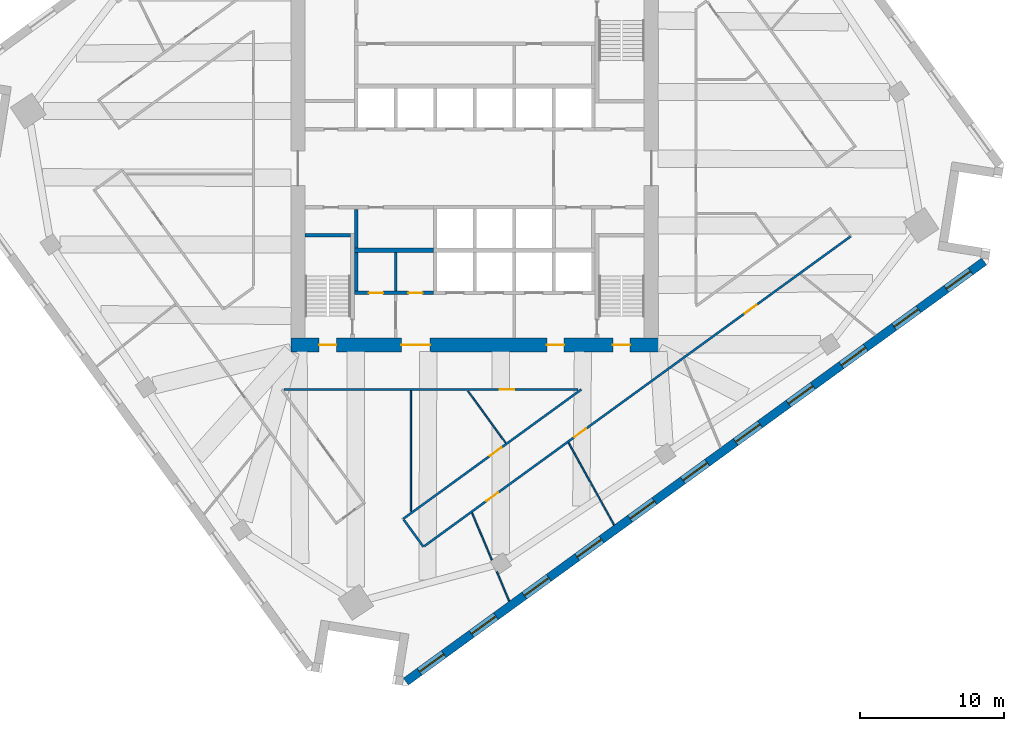
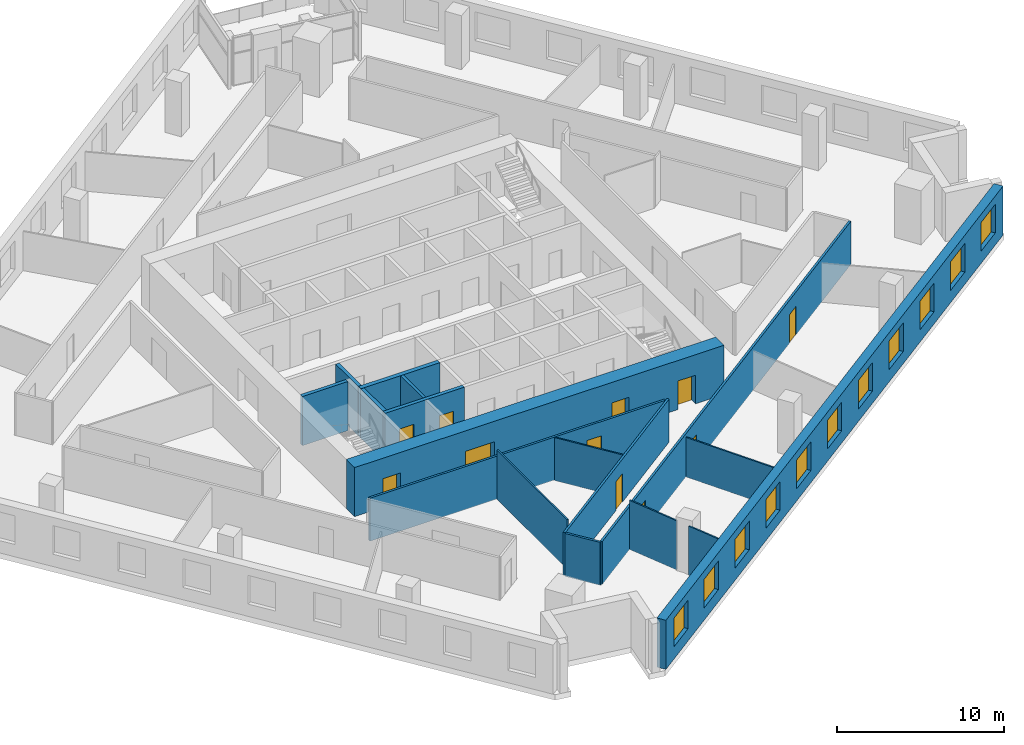
# One storey, part 5 of 11: 17 walls, 11 doors, 11 windows, 22 openings.
"""IFC4 building model written with IfcOpenShell, lengths in metres."""

from ifc_helpers import new_model, si_unit, direction, frame, frame_2d, origin, place, context, subcontext, project, spatial, rectangle, extrude, material, layer, layer_set, type_object, element, fill, save


model = new_model("IFC4")

# Units and contexts
model_context = context("Model", 3, precision=1e-05, world=origin(), true_north=direction((0.0, 1.0)))
body_context = subcontext(model_context, "Body", "Model", "MODEL_VIEW")
ifc_project = project(units=[si_unit("LENGTHUNIT", "METRE"), si_unit("AREAUNIT", "SQUARE_METRE"), si_unit("VOLUMEUNIT", "CUBIC_METRE"), si_unit("PLANEANGLEUNIT", "RADIAN"), si_unit("MASSUNIT", "GRAM", prefix="KILO")], contexts=[model_context])

# Site, building, storey
site_placement = place(None, origin())
site = spatial("IfcSite", under=ifc_project, at=site_placement, CompositionType="ELEMENT")
building_placement = place(site_placement, origin())
building = spatial("IfcBuilding", under=site, at=building_placement, Name="Dilmun Exchange Tower", CompositionType="ELEMENT")
storey_placement = place(building_placement, frame((0.0, 0.0, 167.699951171875)))
storey = spatial("IfcBuildingStorey", under=building, at=storey_placement, Name="L39", CompositionType="ELEMENT", Elevation=167.699951171875)

# Wall
ifc_material_1 = material(Name="Concrete C40/50", Category="concrete")
ifc_layer_1 = layer(ifc_material_1, 0.199951171875)
ifc_layer_set_1 = layer_set([ifc_layer_1], Name="Concrete C40/50")
wall_type_1 = type_object("IfcWallType", Name="Core partition wall 200", PredefinedType="PARTITIONING", material=ifc_layer_set_1)
wall_1_placement = place(storey_placement, frame((-5.5, -8.544921875, 0.0), z_axis=(0.0, 0.0, 1.0), x_axis=(0.0, 1.0, 0.0)))
element("IfcWall", 1, at=wall_1_placement, inside=storey, type_object=wall_type_1, Name="L39 core partition wall 05", PredefinedType="PARTITIONING", context=body_context, shape_type="SweptSolid", body=[
    extrude(rectangle(XDim=2.68994140625, YDim=0.199951171875, at=frame_2d((1.344970703125, 0.0))), origin(), (0.0, 0.0, 1.0), 3.60009765625),
])

# Wall, openings, doors
ifc_layer_2 = layer(ifc_material_1, 0.25)
ifc_layer_set_2 = layer_set([ifc_layer_2], Name="Concrete C40/50")
wall_type_2 = type_object("IfcWallType", Name="Core partition wall 250", PredefinedType="PARTITIONING", material=ifc_layer_set_2)
wall_2_placement = place(storey_placement, frame((-8.3701171875, -8.675048828125, 0.0), z_axis=(0.0, 0.0, 1.0), x_axis=(1.0, 0.0, 0.0)))
wall_2 = element("IfcWall", 2, at=wall_2_placement, inside=storey, type_object=wall_type_2, Name="L39 core partition wall 03", PredefinedType="PARTITIONING", context=body_context, shape_type="SweptSolid", body=[
    extrude(rectangle(XDim=5.490234375, YDim=0.25, at=frame_2d((2.7451171875, 0.0))), origin(), (0.0, 0.0, 1.0), 3.60009765625),
])
opening_1_placement = place(wall_2_placement, frame((0.9951171875, 0.0, 0.0)))
opening_1 = element("IfcOpeningElement", 3, at=opening_1_placement, cuts=wall_2, Name="Opening CD4", PredefinedType="OPENING", context=body_context, shape_type="SweptSolid", body=[
    extrude(rectangle(XDim=1.0, YDim=2.10009765625, at=frame_2d((0.5, 1.050048828125))), frame((0.0, 0.135009765625, 0.0), z_axis=(0.0, -1.0, 0.0), x_axis=(1.0, 0.0, 0.0)), (0.0, 0.0, 1.0), 0.27001953125),
])
opening_2_placement = place(wall_2_placement, frame((3.7451171875, 0.0, 0.0)))
opening_2 = element("IfcOpeningElement", 4, at=opening_2_placement, cuts=wall_2, Name="Opening CD4", PredefinedType="OPENING", context=body_context, shape_type="SweptSolid", body=[
    extrude(rectangle(XDim=1.0, YDim=2.10009765625, at=frame_2d((0.5, 1.050048828125))), frame((0.0, 0.135009765625, 0.0), z_axis=(0.0, -1.0, 0.0), x_axis=(1.0, 0.0, 0.0)), (0.0, 0.0, 1.0), 0.27001953125),
])
ifc_material_2 = material(Name="Fire-rated steel door set", Category="steel")
door_type_1 = type_object("IfcDoorType", Name="Core room door 1000x2100", OperationType="SINGLE_SWING_LEFT", PredefinedType="DOOR", material=ifc_material_2)
door_1_placement = place(opening_1_placement, origin())
door_1 = element("IfcDoor", 5, at=door_1_placement, inside=storey, type_object=door_type_1, Name="L39 door Male WC", OperationType="SINGLE_SWING_RIGHT", OverallHeight=2.10009765625, OverallWidth=1.0, PredefinedType="DOOR", context=body_context, shape_type="SweptSolid", body=[
    extrude(rectangle(XDim=1.0, YDim=2.10009765625, at=frame_2d((0.5, 1.050048828125))), frame((0.0, 0.02490234375, 0.0), z_axis=(0.0, -1.0, 0.0), x_axis=(1.0, 0.0, 0.0)), (0.0, 0.0, 1.0), 0.050048828125),
])
fill(opening_1, door_1)
door_2_placement = place(opening_2_placement, origin())
door_2 = element("IfcDoor", 6, at=door_2_placement, inside=storey, type_object=door_type_1, Name="L39 door Female WC", OperationType="SINGLE_SWING_RIGHT", OverallHeight=2.10009765625, OverallWidth=1.0, PredefinedType="DOOR", context=body_context, shape_type="SweptSolid", body=[
    extrude(rectangle(XDim=1.0, YDim=2.10009765625, at=frame_2d((0.5, 1.050048828125))), frame((0.0, 0.02490234375, 0.0), z_axis=(0.0, -1.0, 0.0), x_axis=(1.0, 0.0, 0.0)), (0.0, 0.0, 1.0), 0.050048828125),
])
fill(opening_2, door_2)

# Walls
for number, where, z_axis, x_axis, name in (
    (7, (-8.25, -8.544921875, 0.0), (0.0, 0.0, 1.0), (0.0, 1.0, 0.0), "L39 core partition wall 04"),
    (8, (-8.25, -5.544921875, 0.0), (0.0, 0.0, 1.0), (0.0, 1.0, 0.0), "L39 core partition wall 07"),
):
    element("IfcWall", number, at=place(storey_placement, frame(where, z_axis=z_axis, x_axis=x_axis)), inside=storey, type_object=wall_type_2, Name=name, PredefinedType="PARTITIONING", context=body_context, shape_type="SweptSolid", body=[
        extrude(rectangle(XDim=2.68994140625, YDim=0.25, at=frame_2d((1.344970703125, 0.0))), origin(), (0.0, 0.0, 1.0), 3.60009765625),
    ])
ifc_layer_3 = layer(ifc_material_1, 0.300048828125)
ifc_layer_set_3 = layer_set([ifc_layer_3], Name="Concrete C40/50")
wall_type_3 = type_object("IfcWallType", Name="Core partition wall 300", PredefinedType="PARTITIONING", material=ifc_layer_set_3)
wall_3_placement = place(storey_placement, frame((-8.35009765625, -5.699951171875, 0.0), z_axis=(0.0, 0.0, 1.0), x_axis=(1.0, 0.0, 0.0)))
element("IfcWall", 9, at=wall_3_placement, inside=storey, type_object=wall_type_3, Name="L39 core partition wall 06", PredefinedType="PARTITIONING", context=body_context, shape_type="SweptSolid", body=[
    extrude(rectangle(XDim=5.47021484375, YDim=0.300048828125, at=frame_2d((2.735107421875, 0.0))), origin(), (0.0, 0.0, 1.0), 3.60009765625),
])

# Wall, openings, doors
ifc_material_3 = material(Name="Concrete C70/85", Category="concrete")
ifc_layer_4 = layer(ifc_material_3, 1.0)
ifc_layer_set_4 = layer_set([ifc_layer_4], Name="Concrete C70/85")
wall_type_4 = type_object("IfcWallType", Name="Core shear wall 1000 Concrete C70/85", PredefinedType="SHEAR", material=ifc_layer_set_4)
wall_4_placement = place(storey_placement, frame((-12.800048828125, -12.300048828125, 0.0), z_axis=(0.0, 0.0, 1.0), x_axis=(1.0, 0.0, 0.0)))
wall_4 = element("IfcWall", 10, at=wall_4_placement, inside=storey, type_object=wall_type_4, Name="L39 core shear wall S", PredefinedType="SHEAR", context=body_context, shape_type="SweptSolid", body=[
    extrude(rectangle(XDim=25.60009765625, YDim=1.0, at=frame_2d((12.800048828125, 0.0))), origin(), (0.0, 0.0, 1.0), 3.60009765625),
])
opening_3_placement = place(wall_4_placement, frame((7.699951171875, 0.0, 0.0)))
opening_3 = element("IfcOpeningElement", 11, at=opening_3_placement, cuts=wall_4, Name="Opening CD2", PredefinedType="OPENING", context=body_context, shape_type="SweptSolid", body=[
    extrude(rectangle(XDim=2.0, YDim=2.10009765625, at=frame_2d((1.0, 1.050048828125))), frame((0.0, 0.510009765625, 0.0), z_axis=(0.0, -1.0, 0.0), x_axis=(1.0, 0.0, 0.0)), (0.0, 0.0, 1.0), 1.02001953125),
])
opening_4_placement = place(wall_4_placement, frame((17.824951171875, 0.0, 0.0)))
opening_4 = element("IfcOpeningElement", 12, at=opening_4_placement, cuts=wall_4, Name="Opening CD3", PredefinedType="OPENING", context=body_context, shape_type="SweptSolid", body=[
    extrude(rectangle(XDim=1.199951171875, YDim=2.10009765625, at=frame_2d((0.60009765625, 1.050048828125))), frame((0.0, 0.510009765625, 0.0), z_axis=(0.0, -1.0, 0.0), x_axis=(1.0, 0.0, 0.0)), (0.0, 0.0, 1.0), 1.02001953125),
])
opening_5_placement = place(wall_4_placement, frame((1.97509765625, 0.0, 0.0)))
opening_5 = element("IfcOpeningElement", 13, at=opening_5_placement, cuts=wall_4, Name="Opening CD3", PredefinedType="OPENING", context=body_context, shape_type="SweptSolid", body=[
    extrude(rectangle(XDim=1.199951171875, YDim=2.10009765625, at=frame_2d((0.60009765625, 1.050048828125))), frame((0.0, 0.510009765625, 0.0), z_axis=(0.0, -1.0, 0.0), x_axis=(1.0, 0.0, 0.0)), (0.0, 0.0, 1.0), 1.02001953125),
])
opening_6_placement = place(wall_4_placement, frame((22.425048828125, 0.0, 0.0)))
opening_6 = element("IfcOpeningElement", 14, at=opening_6_placement, cuts=wall_4, Name="Opening CD3", PredefinedType="OPENING", context=body_context, shape_type="SweptSolid", body=[
    extrude(rectangle(XDim=1.199951171875, YDim=2.10009765625, at=frame_2d((0.60009765625, 1.050048828125))), frame((0.0, 0.510009765625, 0.0), z_axis=(0.0, -1.0, 0.0), x_axis=(1.0, 0.0, 0.0)), (0.0, 0.0, 1.0), 1.02001953125),
])
door_type_2 = type_object("IfcDoorType", Name="Core service door 2000x2100", OperationType="DOUBLE_DOOR_DOUBLE_SWING", PredefinedType="DOOR", material=ifc_material_2)
door_3_placement = place(opening_3_placement, origin())
door_3 = element("IfcDoor", 15, at=door_3_placement, inside=storey, type_object=door_type_2, Name="L39 door South service lobby", OperationType="SINGLE_SWING_LEFT", OverallHeight=2.10009765625, OverallWidth=2.0, PredefinedType="DOOR", context=body_context, shape_type="SweptSolid", body=[
    extrude(rectangle(XDim=2.0, YDim=2.10009765625, at=frame_2d((1.0, 1.050048828125))), frame((0.0, 0.02490234375, 0.0), z_axis=(0.0, -1.0, 0.0), x_axis=(1.0, 0.0, 0.0)), (0.0, 0.0, 1.0), 0.050048828125),
])
fill(opening_3, door_3)
door_type_3 = type_object("IfcDoorType", Name="Stair exit door 1200x2100", OperationType="SINGLE_SWING_LEFT", PredefinedType="DOOR", material=ifc_material_2)
door_4_placement = place(opening_4_placement, origin())
door_4 = element("IfcDoor", 16, at=door_4_placement, inside=storey, type_object=door_type_3, Name="L39 door Fire-fighting lobby", OperationType="SINGLE_SWING_LEFT", OverallHeight=2.10009765625, OverallWidth=1.199951171875, PredefinedType="DOOR", context=body_context, shape_type="SweptSolid", body=[
    extrude(rectangle(XDim=1.199951171875, YDim=2.10009765625, at=frame_2d((0.60009765625, 1.050048828125))), frame((0.0, 0.02490234375, 0.0), z_axis=(0.0, -1.0, 0.0), x_axis=(1.0, 0.0, 0.0)), (0.0, 0.0, 1.0), 0.050048828125),
])
fill(opening_4, door_4)
door_5_placement = place(opening_5_placement, origin())
door_5 = element("IfcDoor", 17, at=door_5_placement, inside=storey, type_object=door_type_3, Name="L39 door Stair ST2", OperationType="SINGLE_SWING_LEFT", OverallHeight=2.10009765625, OverallWidth=1.199951171875, PredefinedType="DOOR", context=body_context, shape_type="SweptSolid", body=[
    extrude(rectangle(XDim=1.199951171875, YDim=2.10009765625, at=frame_2d((0.60009765625, 1.050048828125))), frame((0.0, 0.02490234375, 0.0), z_axis=(0.0, -1.0, 0.0), x_axis=(1.0, 0.0, 0.0)), (0.0, 0.0, 1.0), 0.050048828125),
])
fill(opening_5, door_5)
door_6_placement = place(opening_6_placement, origin())
door_6 = element("IfcDoor", 18, at=door_6_placement, inside=storey, type_object=door_type_3, Name="L39 door Stair ST3", OperationType="SINGLE_SWING_LEFT", OverallHeight=2.10009765625, OverallWidth=1.199951171875, PredefinedType="DOOR", context=body_context, shape_type="SweptSolid", body=[
    extrude(rectangle(XDim=1.199951171875, YDim=2.10009765625, at=frame_2d((0.60009765625, 1.050048828125))), frame((0.0, 0.02490234375, 0.0), z_axis=(0.0, -1.0, 0.0), x_axis=(1.0, 0.0, 0.0)), (0.0, 0.0, 1.0), 0.050048828125),
])
fill(opening_6, door_6)

# Wall, opening, door
ifc_material_4 = material(Name="Corridor wall 150")
ifc_layer_5 = layer(ifc_material_4, 0.14990234375)
ifc_layer_set_5 = layer_set([ifc_layer_5], Name="Corridor wall 150")
wall_type_5 = type_object("IfcWallType", Name="Corridor wall 150", PredefinedType="PARTITIONING", material=ifc_layer_set_5)
wall_5_placement = place(storey_placement, frame((-13.288818359375, -15.39990234375, 0.0), z_axis=(0.0, 0.0, 1.0), x_axis=(1.0, 0.0, 0.0)))
wall_5 = element("IfcWall", 19, at=wall_5_placement, inside=storey, type_object=wall_type_5, Name="Corridor wall", PredefinedType="PARTITIONING", context=body_context, shape_type="SweptSolid", body=[
    extrude(rectangle(XDim=20.47998046875, YDim=0.14990234375, at=frame_2d((10.239990234375, 0.0))), origin(), (0.0, 0.0, 1.0), 3.150146484375),
])
opening_7_placement = place(wall_5_placement, frame((15.041259765625, 0.0, 0.0)))
opening_7 = element("IfcOpeningElement", 20, at=opening_7_placement, cuts=wall_5, Name="Opening TF38-D11", PredefinedType="OPENING", context=body_context, shape_type="SweptSolid", body=[
    extrude(rectangle(XDim=1.0, YDim=2.10009765625, at=frame_2d((0.5, 1.050048828125))), frame((0.0, 0.0849609375, 0.0), z_axis=(0.0, -1.0, 0.0), x_axis=(1.0, 0.0, 0.0)), (0.0, 0.0, 1.0), 0.169921875),
])
ifc_material_5 = material(Name="Fire door 1000 x 2100")
door_type_4 = type_object("IfcDoorType", Name="Fire door 1000 x 2100", OperationType="NOTDEFINED", PredefinedType="DOOR", material=ifc_material_5)
door_7_placement = place(opening_7_placement, frame((1.0, 0.0, 0.0), z_axis=(0.0, 0.0, 1.0), x_axis=(-1.0, 0.0, 0.0)))
door_7 = element("IfcDoor", 21, at=door_7_placement, inside=storey, type_object=door_type_4, Name="Door TF38-D11", OperationType="SINGLE_SWING_LEFT", OverallHeight=2.10009765625, OverallWidth=1.0, PredefinedType="DOOR", context=body_context, shape_type="SweptSolid", body=[
    extrude(rectangle(XDim=1.0, YDim=2.10009765625, at=frame_2d((0.5, 1.050048828125))), frame((0.0, 0.02490234375, 0.0), z_axis=(0.0, -1.0, 0.0), x_axis=(1.0, 0.0, 0.0)), (0.0, 0.0, 1.0), 0.050048828125),
])
fill(opening_7, door_7)

wall_6_placement = place(storey_placement, frame((-4.97998046875, -24.410888671875, 0.0), z_axis=(0.0, 0.0, 1.0), x_axis=(0.809006648498, 0.587799491907, 0.0)))
wall_6 = element("IfcWall", 22, at=wall_6_placement, inside=storey, type_object=wall_type_5, Name="Corridor wall", PredefinedType="PARTITIONING", context=body_context, shape_type="SweptSolid", body=[
    extrude(rectangle(XDim=15.330078125, YDim=0.14990234375, at=frame_2d((7.6650390625, 0.0))), origin(), (0.0, 0.0, 1.0), 3.150146484375),
])
opening_8_placement = place(wall_6_placement, frame((7.46435546875, 0.0, 0.0)))
opening_8 = element("IfcOpeningElement", 23, at=opening_8_placement, cuts=wall_6, Name="Opening TF38-D09", PredefinedType="OPENING", context=body_context, shape_type="SweptSolid", body=[
    extrude(rectangle(XDim=1.0, YDim=2.10009765625, at=frame_2d((0.5, 1.050048828125))), frame((0.0, 0.0849609375, 0.0), z_axis=(0.0, -1.0, 0.0), x_axis=(1.0, 0.0, 0.0)), (0.0, 0.0, 1.0), 0.169921875),
])
door_8_placement = place(opening_8_placement, origin())
door_8 = element("IfcDoor", 24, at=door_8_placement, inside=storey, type_object=door_type_4, Name="Door TF38-D09", OperationType="SINGLE_SWING_RIGHT", OverallHeight=2.10009765625, OverallWidth=1.0, PredefinedType="DOOR", context=body_context, shape_type="SweptSolid", body=[
    extrude(rectangle(XDim=1.0, YDim=2.10009765625, at=frame_2d((0.5, 1.050048828125))), frame((0.0, 0.02490234375, 0.0), z_axis=(0.0, -1.0, 0.0), x_axis=(1.0, 0.0, 0.0)), (0.0, 0.0, 1.0), 0.050048828125),
])
fill(opening_8, door_8)

# Wall
wall_7_placement = place(storey_placement, frame((-4.935791015625, -24.4716796875, 0.0), z_axis=(0.0, 0.0, 1.0), x_axis=(0.5874596315, -0.809253471638, 0.0)))
element("IfcWall", 25, at=wall_7_placement, inside=storey, type_object=wall_type_5, Name="Corridor wall", PredefinedType="PARTITIONING", context=body_context, shape_type="SweptSolid", body=[
    extrude(rectangle(XDim=2.32470703125, YDim=0.14990234375, at=frame_2d((1.162353515625, 0.0))), origin(), (0.0, 0.0, 1.0), 3.150146484375),
])

# Wall, openings, doors
wall_8_placement = place(storey_placement, frame((-3.50927734375, -26.308837890625, 0.0), z_axis=(0.0, 0.0, 1.0), x_axis=(0.809024097608, 0.587775475407, 0.0)))
wall_8 = element("IfcWall", 26, at=wall_8_placement, inside=storey, type_object=wall_type_5, Name="Corridor wall", PredefinedType="PARTITIONING", context=body_context, shape_type="SweptSolid", body=[
    extrude(rectangle(XDim=36.680419921875, YDim=0.14990234375, at=frame_2d((18.34033203125, 0.0))), origin(), (0.0, 0.0, 1.0), 3.150146484375),
])
opening_9_placement = place(wall_8_placement, frame((5.361328125, 0.0, 0.0)))
opening_9 = element("IfcOpeningElement", 27, at=opening_9_placement, cuts=wall_8, Name="Opening TF38-D12", PredefinedType="OPENING", context=body_context, shape_type="SweptSolid", body=[
    extrude(rectangle(XDim=1.0, YDim=2.10009765625, at=frame_2d((0.5, 1.050048828125))), frame((0.0, 0.0849609375, 0.0), z_axis=(0.0, -1.0, 0.0), x_axis=(1.0, 0.0, 0.0)), (0.0, 0.0, 1.0), 0.169921875),
])
opening_10_placement = place(wall_8_placement, frame((12.9130859375, 0.0, 0.0)))
opening_10 = element("IfcOpeningElement", 28, at=opening_10_placement, cuts=wall_8, Name="Opening TF38-D15", PredefinedType="OPENING", context=body_context, shape_type="SweptSolid", body=[
    extrude(rectangle(XDim=1.0, YDim=2.10009765625, at=frame_2d((0.5, 1.050048828125))), frame((0.0, 0.0849609375, 0.0), z_axis=(0.0, -1.0, 0.0), x_axis=(1.0, 0.0, 0.0)), (0.0, 0.0, 1.0), 0.169921875),
])
opening_11_placement = place(wall_8_placement, frame((27.57568359375, 0.0, 0.0)))
opening_11 = element("IfcOpeningElement", 29, at=opening_11_placement, cuts=wall_8, Name="Opening TF38-D18", PredefinedType="OPENING", context=body_context, shape_type="SweptSolid", body=[
    extrude(rectangle(XDim=1.0, YDim=2.10009765625, at=frame_2d((0.5, 1.050048828125))), frame((0.0, 0.0849609375, 0.0), z_axis=(0.0, -1.0, 0.0), x_axis=(1.0, 0.0, 0.0)), (0.0, 0.0, 1.0), 0.169921875),
])
door_9_placement = place(opening_9_placement, frame((1.0, 0.0, 0.0), z_axis=(0.0, 0.0, 1.0), x_axis=(-1.0, 0.0, 0.0)))
door_9 = element("IfcDoor", 30, at=door_9_placement, inside=storey, type_object=door_type_4, Name="Door TF38-D12", OperationType="SINGLE_SWING_LEFT", OverallHeight=2.10009765625, OverallWidth=1.0, PredefinedType="DOOR", context=body_context, shape_type="SweptSolid", body=[
    extrude(rectangle(XDim=1.0, YDim=2.10009765625, at=frame_2d((0.5, 1.050048828125))), frame((0.0, 0.02490234375, 0.0), z_axis=(0.0, -1.0, 0.0), x_axis=(1.0, 0.0, 0.0)), (0.0, 0.0, 1.0), 0.050048828125),
])
fill(opening_9, door_9)
door_10_placement = place(opening_10_placement, frame((1.0, 0.0, 0.0), z_axis=(0.0, 0.0, 1.0), x_axis=(-1.0, 0.0, 0.0)))
door_10 = element("IfcDoor", 31, at=door_10_placement, inside=storey, type_object=door_type_4, Name="Door TF38-D15", OperationType="SINGLE_SWING_RIGHT", OverallHeight=2.10009765625, OverallWidth=1.0, PredefinedType="DOOR", context=body_context, shape_type="SweptSolid", body=[
    extrude(rectangle(XDim=1.0, YDim=2.10009765625, at=frame_2d((0.5, 1.050048828125))), frame((0.0, 0.02490234375, 0.0), z_axis=(0.0, -1.0, 0.0), x_axis=(1.0, 0.0, 0.0)), (0.0, 0.0, 1.0), 0.050048828125),
])
fill(opening_10, door_10)
door_11_placement = place(opening_11_placement, frame((1.0, 0.0, 0.0), z_axis=(0.0, 0.0, 1.0), x_axis=(-1.0, 0.0, 0.0)))
door_11 = element("IfcDoor", 32, at=door_11_placement, inside=storey, type_object=door_type_4, Name="Door TF38-D18", OperationType="SINGLE_SWING_RIGHT", OverallHeight=2.10009765625, OverallWidth=1.0, PredefinedType="DOOR", context=body_context, shape_type="SweptSolid", body=[
    extrude(rectangle(XDim=1.0, YDim=2.10009765625, at=frame_2d((0.5, 1.050048828125))), frame((0.0, 0.02490234375, 0.0), z_axis=(0.0, -1.0, 0.0), x_axis=(1.0, 0.0, 0.0)), (0.0, 0.0, 1.0), 0.050048828125),
])
fill(opening_11, door_11)

# Walls
ifc_material_6 = material(Name="Partition 100")
ifc_layer_6 = layer(ifc_material_6, 0.10009765625)
ifc_layer_set_6 = layer_set([ifc_layer_6], Name="Partition 100")
wall_type_6 = type_object("IfcWallType", Name="Partition 100", PredefinedType="PARTITIONING", material=ifc_layer_set_6)
wall_9_placement = place(storey_placement, frame((-4.443115234375, -23.89208984375, 0.0), z_axis=(0.0, 0.0, 1.0), x_axis=(0.0, 1.0, 0.0)))
element("IfcWall", 33, at=wall_9_placement, inside=storey, type_object=wall_type_6, Name="Partition", PredefinedType="PARTITIONING", context=body_context, shape_type="SweptSolid", body=[
    extrude(rectangle(XDim=8.4169921875, YDim=0.10009765625, at=frame_2d((4.20849609375, 0.0))), origin(), (0.0, 0.0, 1.0), 3.60009765625),
])
wall_10_placement = place(storey_placement, frame((-0.47216796875, -15.50439453125, 0.0), z_axis=(0.0, 0.0, 1.0), x_axis=(0.587831486694, -0.808983401097, 0.0)))
element("IfcWall", 34, at=wall_10_placement, inside=storey, type_object=wall_type_6, Name="Partition", PredefinedType="PARTITIONING", context=body_context, shape_type="SweptSolid", body=[
    extrude(rectangle(XDim=4.48095703125, YDim=0.10009765625, at=frame_2d((2.240478515625, 0.0))), origin(), (0.0, 0.0, 1.0), 3.150146484375),
])
wall_11_placement = place(storey_placement, frame((-0.181640625, -23.997802734375, 0.0), z_axis=(0.0, 0.0, 1.0), x_axis=(0.388072383156, -0.921628897893, 0.0)))
element("IfcWall", 35, at=wall_11_placement, inside=storey, type_object=wall_type_6, Name="Partition", PredefinedType="PARTITIONING", context=body_context, shape_type="SweptSolid", body=[
    extrude(rectangle(XDim=3.547607421875, YDim=0.10009765625, at=frame_2d((1.77392578125, 0.0))), origin(), (0.0, 0.0, 1.0), 3.60009765625),
])
wall_12_placement = place(storey_placement, frame((1.541015625, -28.089111328125, 0.0), z_axis=(0.0, 0.0, 1.0), x_axis=(0.388007971135, -0.92165601736, 0.0)))
element("IfcWall", 36, at=wall_12_placement, inside=storey, type_object=wall_type_6, Name="Partition", PredefinedType="PARTITIONING", context=body_context, shape_type="SweptSolid", body=[
    extrude(rectangle(XDim=2.22607421875, YDim=0.10009765625, at=frame_2d((1.113037109375, 0.0))), origin(), (0.0, 0.0, 1.0), 3.60009765625),
])
wall_13_placement = place(storey_placement, frame((6.53662109375, -19.110595703125, 0.0), z_axis=(0.0, 0.0, 1.0), x_axis=(0.484305684631, -0.874898853488, 0.0)))
element("IfcWall", 37, at=wall_13_placement, inside=storey, type_object=wall_type_6, Name="Partition", PredefinedType="PARTITIONING", context=body_context, shape_type="SweptSolid", body=[
    extrude(rectangle(XDim=6.544189453125, YDim=0.10009765625, at=frame_2d((3.27197265625, 0.0))), origin(), (0.0, 0.0, 1.0), 2.900146484375),
])

# Wall, openings, windows
ifc_material_7 = material(Name="Precast concrete C50/60", Category="concrete")
ifc_layer_7 = layer(ifc_material_7, 0.60009765625)
ifc_layer_set_7 = layer_set([ifc_layer_7], Name="Precast concrete C50/60")
wall_type_7 = type_object("IfcWallType", Name="Precast stone-clad wall 600", PredefinedType="STANDARD", material=ifc_layer_set_7)
wall_14_placement = place(storey_placement, frame((-4.78369140625, -35.73681640625, 0.0), z_axis=(0.0, 0.0, 1.0), x_axis=(0.809019283075, 0.587782102154, 0.0)))
wall_14 = element("IfcWall", 38, at=wall_14_placement, inside=storey, type_object=wall_type_7, Name="Facade wall L39-15", PredefinedType="STANDARD", context=body_context, shape_type="SweptSolid", body=[
    extrude(rectangle(XDim=49.751220703125, YDim=0.60009765625, at=frame_2d((24.87548828125, 0.0))), origin(), (0.0, 0.0, 1.0), 3.60009765625),
])
opening_12_placement = place(wall_14_placement, frame((1.16064453125, 0.0, 0.89990234375)))
opening_12 = element("IfcOpeningElement", 39, at=opening_12_placement, cuts=wall_14, Name="Opening W210-210", PredefinedType="OPENING", context=body_context, shape_type="SweptSolid", body=[
    extrude(rectangle(XDim=2.10009765625, YDim=2.10009765625, at=frame_2d((1.050048828125, 1.050048828125))), frame((0.0, 0.31005859375, 0.0), z_axis=(0.0, -1.0, 0.0), x_axis=(1.0, 0.0, 0.0)), (0.0, 0.0, 1.0), 0.6201171875),
])
opening_13_placement = place(wall_14_placement, frame((5.643798828125, 0.0, 0.89990234375)))
opening_13 = element("IfcOpeningElement", 40, at=opening_13_placement, cuts=wall_14, Name="Opening W210-210", PredefinedType="OPENING", context=body_context, shape_type="SweptSolid", body=[
    extrude(rectangle(XDim=2.10009765625, YDim=2.10009765625, at=frame_2d((1.050048828125, 1.050048828125))), frame((0.0, 0.31005859375, 0.0), z_axis=(0.0, -1.0, 0.0), x_axis=(1.0, 0.0, 0.0)), (0.0, 0.0, 1.0), 0.6201171875),
])
opening_14_placement = place(wall_14_placement, frame((10.189453125, 0.0, 0.89990234375)))
opening_14 = element("IfcOpeningElement", 41, at=opening_14_placement, cuts=wall_14, Name="Opening W210-210", PredefinedType="OPENING", context=body_context, shape_type="SweptSolid", body=[
    extrude(rectangle(XDim=2.10009765625, YDim=2.10009765625, at=frame_2d((1.050048828125, 1.050048828125))), frame((0.0, 0.31005859375, 0.0), z_axis=(0.0, -1.0, 0.0), x_axis=(1.0, 0.0, 0.0)), (0.0, 0.0, 1.0), 0.6201171875),
])
opening_15_placement = place(wall_14_placement, frame((14.73486328125, 0.0, 0.89990234375)))
opening_15 = element("IfcOpeningElement", 42, at=opening_15_placement, cuts=wall_14, Name="Opening W210-210", PredefinedType="OPENING", context=body_context, shape_type="SweptSolid", body=[
    extrude(rectangle(XDim=2.10009765625, YDim=2.10009765625, at=frame_2d((1.050048828125, 1.050048828125))), frame((0.0, 0.31005859375, 0.0), z_axis=(0.0, -1.0, 0.0), x_axis=(1.0, 0.0, 0.0)), (0.0, 0.0, 1.0), 0.6201171875),
])
opening_16_placement = place(wall_14_placement, frame((19.2802734375, 0.0, 0.89990234375)))
opening_16 = element("IfcOpeningElement", 43, at=opening_16_placement, cuts=wall_14, Name="Opening W210-210", PredefinedType="OPENING", context=body_context, shape_type="SweptSolid", body=[
    extrude(rectangle(XDim=2.10009765625, YDim=2.10009765625, at=frame_2d((1.050048828125, 1.050048828125))), frame((0.0, 0.31005859375, 0.0), z_axis=(0.0, -1.0, 0.0), x_axis=(1.0, 0.0, 0.0)), (0.0, 0.0, 1.0), 0.6201171875),
])
opening_17_placement = place(wall_14_placement, frame((23.82568359375, 0.0, 0.89990234375)))
opening_17 = element("IfcOpeningElement", 44, at=opening_17_placement, cuts=wall_14, Name="Opening W210-210", PredefinedType="OPENING", context=body_context, shape_type="SweptSolid", body=[
    extrude(rectangle(XDim=2.10009765625, YDim=2.10009765625, at=frame_2d((1.050048828125, 1.050048828125))), frame((0.0, 0.31005859375, 0.0), z_axis=(0.0, -1.0, 0.0), x_axis=(1.0, 0.0, 0.0)), (0.0, 0.0, 1.0), 0.6201171875),
])
opening_18_placement = place(wall_14_placement, frame((28.37109375, 0.0, 0.89990234375)))
opening_18 = element("IfcOpeningElement", 45, at=opening_18_placement, cuts=wall_14, Name="Opening W210-210", PredefinedType="OPENING", context=body_context, shape_type="SweptSolid", body=[
    extrude(rectangle(XDim=2.10009765625, YDim=2.10009765625, at=frame_2d((1.050048828125, 1.050048828125))), frame((0.0, 0.31005859375, 0.0), z_axis=(0.0, -1.0, 0.0), x_axis=(1.0, 0.0, 0.0)), (0.0, 0.0, 1.0), 0.6201171875),
])
opening_19_placement = place(wall_14_placement, frame((32.91650390625, 0.0, 0.89990234375)))
opening_19 = element("IfcOpeningElement", 46, at=opening_19_placement, cuts=wall_14, Name="Opening W210-210", PredefinedType="OPENING", context=body_context, shape_type="SweptSolid", body=[
    extrude(rectangle(XDim=2.10009765625, YDim=2.10009765625, at=frame_2d((1.050048828125, 1.050048828125))), frame((0.0, 0.31005859375, 0.0), z_axis=(0.0, -1.0, 0.0), x_axis=(1.0, 0.0, 0.0)), (0.0, 0.0, 1.0), 0.6201171875),
])
opening_20_placement = place(wall_14_placement, frame((37.462158203125, 0.0, 0.89990234375)))
opening_20 = element("IfcOpeningElement", 47, at=opening_20_placement, cuts=wall_14, Name="Opening W210-210", PredefinedType="OPENING", context=body_context, shape_type="SweptSolid", body=[
    extrude(rectangle(XDim=2.10009765625, YDim=2.10009765625, at=frame_2d((1.050048828125, 1.050048828125))), frame((0.0, 0.31005859375, 0.0), z_axis=(0.0, -1.0, 0.0), x_axis=(1.0, 0.0, 0.0)), (0.0, 0.0, 1.0), 0.6201171875),
])
opening_21_placement = place(wall_14_placement, frame((42.007568359375, 0.0, 0.89990234375)))
opening_21 = element("IfcOpeningElement", 48, at=opening_21_placement, cuts=wall_14, Name="Opening W210-210", PredefinedType="OPENING", context=body_context, shape_type="SweptSolid", body=[
    extrude(rectangle(XDim=2.10009765625, YDim=2.10009765625, at=frame_2d((1.050048828125, 1.050048828125))), frame((0.0, 0.31005859375, 0.0), z_axis=(0.0, -1.0, 0.0), x_axis=(1.0, 0.0, 0.0)), (0.0, 0.0, 1.0), 0.6201171875),
])
opening_22_placement = place(wall_14_placement, frame((46.490966796875, 0.0, 0.89990234375)))
opening_22 = element("IfcOpeningElement", 49, at=opening_22_placement, cuts=wall_14, Name="Opening W210-210", PredefinedType="OPENING", context=body_context, shape_type="SweptSolid", body=[
    extrude(rectangle(XDim=2.10009765625, YDim=2.10009765625, at=frame_2d((1.050048828125, 1.050048828125))), frame((0.0, 0.31005859375, 0.0), z_axis=(0.0, -1.0, 0.0), x_axis=(1.0, 0.0, 0.0)), (0.0, 0.0, 1.0), 0.6201171875),
])
ifc_material_8 = material(Name="Clear low-emissivity glass in aluminium frame", Category="aluminium")
window_type = type_object("IfcWindowType", Name="Punched window 2100 x 2100", PartitioningType="DOUBLE_PANEL_VERTICAL", PredefinedType="WINDOW", material=ifc_material_8)
window_1_placement = place(opening_12_placement, origin())
window_1 = element("IfcWindow", 50, at=window_1_placement, inside=storey, type_object=window_type, Name="Window 16.1", OverallHeight=2.10009765625, OverallWidth=2.10009765625, PartitioningType="SINGLE_PANEL", PredefinedType="WINDOW", context=body_context, shape_type="SweptSolid", body=[
    extrude(rectangle(XDim=2.10009765625, YDim=2.10009765625, at=frame_2d((1.050048828125, 1.050048828125))), frame((0.0, 0.030029296875, 0.0), z_axis=(0.0, -1.0, 0.0), x_axis=(1.0, 0.0, 0.0)), (0.0, 0.0, 1.0), 0.06005859375),
])
fill(opening_12, window_1)
window_2_placement = place(opening_13_placement, origin())
window_2 = element("IfcWindow", 51, at=window_2_placement, inside=storey, type_object=window_type, Name="Window 16.2", OverallHeight=2.10009765625, OverallWidth=2.10009765625, PartitioningType="SINGLE_PANEL", PredefinedType="WINDOW", context=body_context, shape_type="SweptSolid", body=[
    extrude(rectangle(XDim=2.10009765625, YDim=2.10009765625, at=frame_2d((1.050048828125, 1.050048828125))), frame((0.0, 0.030029296875, 0.0), z_axis=(0.0, -1.0, 0.0), x_axis=(1.0, 0.0, 0.0)), (0.0, 0.0, 1.0), 0.06005859375),
])
fill(opening_13, window_2)
window_3_placement = place(opening_14_placement, origin())
window_3 = element("IfcWindow", 52, at=window_3_placement, inside=storey, type_object=window_type, Name="Window 16.3", OverallHeight=2.10009765625, OverallWidth=2.10009765625, PartitioningType="SINGLE_PANEL", PredefinedType="WINDOW", context=body_context, shape_type="SweptSolid", body=[
    extrude(rectangle(XDim=2.10009765625, YDim=2.10009765625, at=frame_2d((1.050048828125, 1.050048828125))), frame((0.0, 0.030029296875, 0.0), z_axis=(0.0, -1.0, 0.0), x_axis=(1.0, 0.0, 0.0)), (0.0, 0.0, 1.0), 0.06005859375),
])
fill(opening_14, window_3)
window_4_placement = place(opening_15_placement, origin())
window_4 = element("IfcWindow", 53, at=window_4_placement, inside=storey, type_object=window_type, Name="Window 16.4", OverallHeight=2.10009765625, OverallWidth=2.10009765625, PartitioningType="SINGLE_PANEL", PredefinedType="WINDOW", context=body_context, shape_type="SweptSolid", body=[
    extrude(rectangle(XDim=2.10009765625, YDim=2.10009765625, at=frame_2d((1.050048828125, 1.050048828125))), frame((0.0, 0.030029296875, 0.0), z_axis=(0.0, -1.0, 0.0), x_axis=(1.0, 0.0, 0.0)), (0.0, 0.0, 1.0), 0.06005859375),
])
fill(opening_15, window_4)
window_5_placement = place(opening_16_placement, origin())
window_5 = element("IfcWindow", 54, at=window_5_placement, inside=storey, type_object=window_type, Name="Window 16.5", OverallHeight=2.10009765625, OverallWidth=2.10009765625, PartitioningType="SINGLE_PANEL", PredefinedType="WINDOW", context=body_context, shape_type="SweptSolid", body=[
    extrude(rectangle(XDim=2.10009765625, YDim=2.10009765625, at=frame_2d((1.050048828125, 1.050048828125))), frame((0.0, 0.030029296875, 0.0), z_axis=(0.0, -1.0, 0.0), x_axis=(1.0, 0.0, 0.0)), (0.0, 0.0, 1.0), 0.06005859375),
])
fill(opening_16, window_5)
window_6_placement = place(opening_17_placement, origin())
window_6 = element("IfcWindow", 55, at=window_6_placement, inside=storey, type_object=window_type, Name="Window 16.6", OverallHeight=2.10009765625, OverallWidth=2.10009765625, PartitioningType="SINGLE_PANEL", PredefinedType="WINDOW", context=body_context, shape_type="SweptSolid", body=[
    extrude(rectangle(XDim=2.10009765625, YDim=2.10009765625, at=frame_2d((1.050048828125, 1.050048828125))), frame((0.0, 0.030029296875, 0.0), z_axis=(0.0, -1.0, 0.0), x_axis=(1.0, 0.0, 0.0)), (0.0, 0.0, 1.0), 0.06005859375),
])
fill(opening_17, window_6)
window_7_placement = place(opening_18_placement, origin())
window_7 = element("IfcWindow", 56, at=window_7_placement, inside=storey, type_object=window_type, Name="Window 16.7", OverallHeight=2.10009765625, OverallWidth=2.10009765625, PartitioningType="SINGLE_PANEL", PredefinedType="WINDOW", context=body_context, shape_type="SweptSolid", body=[
    extrude(rectangle(XDim=2.10009765625, YDim=2.10009765625, at=frame_2d((1.050048828125, 1.050048828125))), frame((0.0, 0.030029296875, 0.0), z_axis=(0.0, -1.0, 0.0), x_axis=(1.0, 0.0, 0.0)), (0.0, 0.0, 1.0), 0.06005859375),
])
fill(opening_18, window_7)
window_8_placement = place(opening_19_placement, origin())
window_8 = element("IfcWindow", 57, at=window_8_placement, inside=storey, type_object=window_type, Name="Window 16.8", OverallHeight=2.10009765625, OverallWidth=2.10009765625, PartitioningType="SINGLE_PANEL", PredefinedType="WINDOW", context=body_context, shape_type="SweptSolid", body=[
    extrude(rectangle(XDim=2.10009765625, YDim=2.10009765625, at=frame_2d((1.050048828125, 1.050048828125))), frame((0.0, 0.030029296875, 0.0), z_axis=(0.0, -1.0, 0.0), x_axis=(1.0, 0.0, 0.0)), (0.0, 0.0, 1.0), 0.06005859375),
])
fill(opening_19, window_8)
window_9_placement = place(opening_20_placement, origin())
window_9 = element("IfcWindow", 58, at=window_9_placement, inside=storey, type_object=window_type, Name="Window 16.9", OverallHeight=2.10009765625, OverallWidth=2.10009765625, PartitioningType="SINGLE_PANEL", PredefinedType="WINDOW", context=body_context, shape_type="SweptSolid", body=[
    extrude(rectangle(XDim=2.10009765625, YDim=2.10009765625, at=frame_2d((1.050048828125, 1.050048828125))), frame((0.0, 0.030029296875, 0.0), z_axis=(0.0, -1.0, 0.0), x_axis=(1.0, 0.0, 0.0)), (0.0, 0.0, 1.0), 0.06005859375),
])
fill(opening_20, window_9)
window_10_placement = place(opening_21_placement, origin())
window_10 = element("IfcWindow", 59, at=window_10_placement, inside=storey, type_object=window_type, Name="Window 16.10", OverallHeight=2.10009765625, OverallWidth=2.10009765625, PartitioningType="SINGLE_PANEL", PredefinedType="WINDOW", context=body_context, shape_type="SweptSolid", body=[
    extrude(rectangle(XDim=2.10009765625, YDim=2.10009765625, at=frame_2d((1.050048828125, 1.050048828125))), frame((0.0, 0.030029296875, 0.0), z_axis=(0.0, -1.0, 0.0), x_axis=(1.0, 0.0, 0.0)), (0.0, 0.0, 1.0), 0.06005859375),
])
fill(opening_21, window_10)
window_11_placement = place(opening_22_placement, origin())
window_11 = element("IfcWindow", 60, at=window_11_placement, inside=storey, type_object=window_type, Name="Window 16.11", OverallHeight=2.10009765625, OverallWidth=2.10009765625, PartitioningType="SINGLE_PANEL", PredefinedType="WINDOW", context=body_context, shape_type="SweptSolid", body=[
    extrude(rectangle(XDim=2.10009765625, YDim=2.10009765625, at=frame_2d((1.050048828125, 1.050048828125))), frame((0.0, 0.030029296875, 0.0), z_axis=(0.0, -1.0, 0.0), x_axis=(1.0, 0.0, 0.0)), (0.0, 0.0, 1.0), 0.06005859375),
])
fill(opening_22, window_11)

# Wall
ifc_layer_8 = layer(ifc_material_1, 0.25)
ifc_layer_set_8 = layer_set([ifc_layer_8], Name="Concrete C40/50")
wall_type_8 = type_object("IfcWallType", Name="Stair end wall 250", PredefinedType="SOLIDWALL", material=ifc_layer_set_8)
wall_15_placement = place(storey_placement, frame((-8.64990234375, -4.675048828125, 0.0), z_axis=(0.0, 0.0, 1.0), x_axis=(-1.0, 0.0, 0.0)))
element("IfcWall", 61, at=wall_15_placement, inside=storey, type_object=wall_type_8, Name="L39 ST2 far wall", PredefinedType="SOLIDWALL", context=body_context, shape_type="SweptSolid", body=[
    extrude(rectangle(XDim=3.150146484375, YDim=0.25, at=frame_2d((1.5751953125, 0.0))), origin(), (0.0, 0.0, 1.0), 3.60009765625),
])

save(model, "model.ifc")
